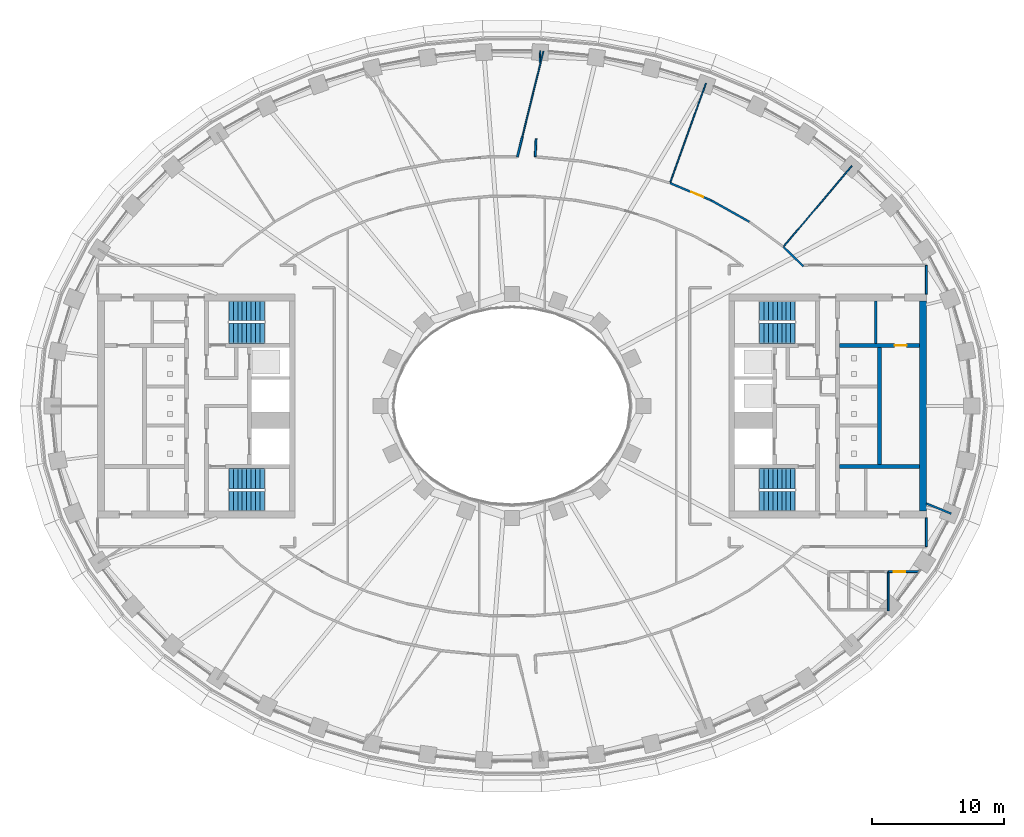
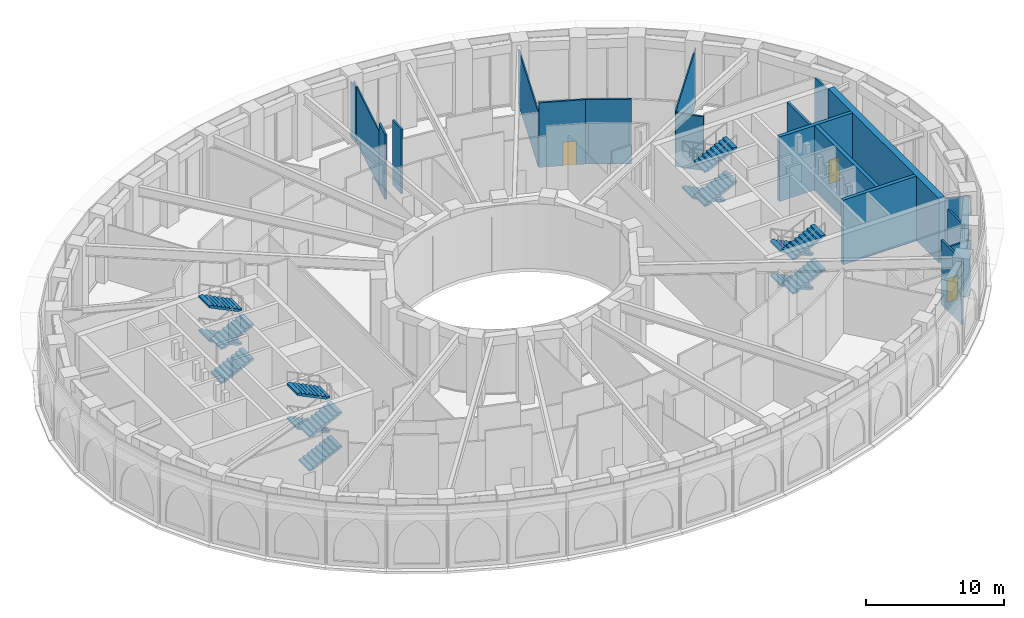
# One storey, part 7 of 23: 19 walls, 15 stair flights, 3 doors, 3 openings, 4 elements without a shape of their own.
"""IFC4 building model written with IfcOpenShell, lengths in metres."""

from ifc_helpers import new_model, si_unit, direction, frame, frame_2d, origin, place, context, subcontext, project, spatial, polyline, rectangle, outline, extrude, material, layer, layer_set, type_object, element, fill, aggregate, save


model = new_model("IFC4")

# Units and contexts
model_context = context("Model", 3, precision=1e-05, world=origin(), true_north=direction((0.0, 1.0)))
body_context = subcontext(model_context, "Body", "Model", "MODEL_VIEW")
ifc_project = project(units=[si_unit("LENGTHUNIT", "METRE"), si_unit("AREAUNIT", "SQUARE_METRE"), si_unit("VOLUMEUNIT", "CUBIC_METRE"), si_unit("PLANEANGLEUNIT", "RADIAN"), si_unit("MASSUNIT", "GRAM", prefix="KILO")], contexts=[model_context])

# Site, building, storey
site_placement = place(None, origin())
site = spatial("IfcSite", under=ifc_project, at=site_placement, CompositionType="ELEMENT")
building_placement = place(site_placement, origin())
building = spatial("IfcBuilding", under=site, at=building_placement, Name="Noorbagh Ring Tower", CompositionType="ELEMENT")
storey_placement = place(building_placement, frame((0.0, 0.0, 140.0)))
storey = spatial("IfcBuildingStorey", under=building, at=storey_placement, Name="L32", CompositionType="ELEMENT", Elevation=140.0)

# Wall
ifc_material_1 = material(Name="Gypsum board on steel studs", Category="steel")
ifc_layer_1 = layer(ifc_material_1, 0.14990234375)
ifc_layer_set_1 = layer_set([ifc_layer_1], Name="Gypsum board on steel studs")
wall_type_1 = type_object("IfcWallType", Name="COMPARTMENT PARTITION 150 EI 60", PredefinedType="PARTITIONING", material=ifc_layer_set_1)
wall_1_placement = place(storey_placement, frame((28.60693359375, -15.570068359375, 0.0), z_axis=(0.0, 0.0, 1.0), x_axis=(0.0, 1.0, 0.0)))
element("IfcWall", 1, at=wall_1_placement, inside=storey, type_object=wall_type_1, Name="L32/wall/P107", PredefinedType="PARTITIONING", context=body_context, shape_type="SweptSolid", body=[
    extrude(rectangle(XDim=2.969970703125, YDim=0.14990234375, at=frame_2d((1.48486328125, 0.0))), origin(), (0.0, 0.0, 1.0), 5.699951171875),
])

# Wall, opening, door
wall_2_placement = place(storey_placement, frame((28.60693359375, -12.60009765625, 0.0), z_axis=(0.0, 0.0, 1.0), x_axis=(1.0, 0.0, 0.0)))
wall_2 = element("IfcWall", 2, at=wall_2_placement, inside=storey, type_object=wall_type_1, Name="L32/wall/P108", PredefinedType="PARTITIONING", context=body_context, shape_type="SweptSolid", body=[
    extrude(rectangle(XDim=2.3271484375, YDim=0.14990234375, at=frame_2d((1.16357421875, 0.0))), origin(), (0.0, 0.0, 1.0), 4.89990234375),
])
opening_1_placement = place(wall_2_placement, frame((0.39990234375, 0.0, 0.0)))
opening_1 = element("IfcOpeningElement", 3, at=opening_1_placement, cuts=wall_2, Name="Opening D4", PredefinedType="OPENING", context=body_context, shape_type="SweptSolid", body=[
    extrude(rectangle(XDim=0.89990234375, YDim=2.10009765625, at=frame_2d((0.449951171875, 1.050048828125))), frame((0.0, 0.0849609375, 0.0), z_axis=(0.0, -1.0, 0.0), x_axis=(1.0, 0.0, 0.0)), (0.0, 0.0, 1.0), 0.169921875),
])
ifc_material_2 = material(Name="Timber, painted", Category="wood")
door_type_1 = type_object("IfcDoorType", Name="DOOR 900 X 2100 FD60", OperationType="SINGLE_SWING_LEFT", PredefinedType="DOOR", material=ifc_material_2)
door_1_placement = place(opening_1_placement, origin())
door_1 = element("IfcDoor", 4, at=door_1_placement, inside=storey, type_object=door_type_1, Name="L32-D05", OperationType="SINGLE_SWING_LEFT", OverallHeight=2.10009765625, OverallWidth=0.89990234375, PredefinedType="DOOR", context=body_context, shape_type="SweptSolid", body=[
    extrude(rectangle(XDim=0.89990234375, YDim=2.10009765625, at=frame_2d((0.449951171875, 1.050048828125))), frame((0.0, 0.02490234375, 0.0), z_axis=(0.0, -1.0, 0.0), x_axis=(1.0, 0.0, 0.0)), (0.0, 0.0, 1.0), 0.050048828125),
])
fill(opening_1, door_1)

# Walls
ifc_material_3 = material(Name="Gypsum board on steel studs", Category="steel")
ifc_layer_2 = layer(ifc_material_3, 0.199951171875)
ifc_layer_set_2 = layer_set([ifc_layer_2], Name="Gypsum board on steel studs")
wall_type_2 = type_object("IfcWallType", Name="CORE-PARTITION-200", PredefinedType="PARTITIONING", material=ifc_layer_set_2)
wall_3_placement = place(storey_placement, frame((27.64990234375, 4.75, 0.0), z_axis=(0.0, 0.0, 1.0), x_axis=(0.0, 1.0, 0.0)))
element("IfcWall", 5, at=wall_3_placement, inside=storey, type_object=wall_type_2, Name="Core partition E", PredefinedType="PARTITIONING", context=body_context, shape_type="SweptSolid", body=[
    extrude(rectangle(XDim=3.25, YDim=0.199951171875, at=frame_2d((1.625, 0.0))), origin(), (0.0, 0.0, 1.0), 5.699951171875),
])
ifc_material_4 = material(Name="Concrete C70/85", Category="concrete")
ifc_layer_3 = layer(ifc_material_4, 0.300048828125)
ifc_layer_set_3 = layer_set([ifc_layer_3], Name="Concrete C70/85")
wall_type_3 = type_object("IfcWallType", Name="CORE-WALL-300-C70-85-EI120", PredefinedType="SHEAR", material=ifc_layer_set_3)
wall_4_placement = place(storey_placement, frame((27.949951171875, -4.449951171875, 0.0), z_axis=(0.0, 0.0, 1.0), x_axis=(0.0, 1.0, 0.0)))
element("IfcWall", 6, at=wall_4_placement, inside=storey, type_object=wall_type_3, Name="Core wall E", PredefinedType="SHEAR", context=body_context, shape_type="SweptSolid", body=[
    extrude(rectangle(XDim=8.89990234375, YDim=0.300048828125, at=frame_2d((4.449951171875, 0.0))), origin(), (0.0, 0.0, 1.0), 5.699951171875),
])

# Wall, opening, door
ifc_material_5 = material(Name="Concrete C70/85", Category="concrete")
ifc_layer_4 = layer(ifc_material_5, 0.300048828125)
ifc_layer_set_4 = layer_set([ifc_layer_4], Name="Concrete C70/85")
wall_type_4 = type_object("IfcWallType", Name="CORE-WALL-300-C70-85-EI240", PredefinedType="SHEAR", material=ifc_layer_set_4)
wall_5_placement = place(storey_placement, frame((24.89990234375, 4.60009765625, 0.0), z_axis=(0.0, 0.0, 1.0), x_axis=(1.0, 0.0, 0.0)))
wall_5 = element("IfcWall", 7, at=wall_5_placement, inside=storey, type_object=wall_type_4, Name="Core wall E", PredefinedType="SHEAR", context=body_context, shape_type="SweptSolid", body=[
    extrude(rectangle(XDim=6.10009765625, YDim=0.300048828125, at=frame_2d((3.050048828125, 0.0))), origin(), (0.0, 0.0, 1.0), 5.699951171875),
])
opening_2_placement = place(wall_5_placement, frame((4.199951171875, 0.0, 0.0)))
opening_2 = element("IfcOpeningElement", 8, at=opening_2_placement, cuts=wall_5, Name="Opening L32-CE18", PredefinedType="OPENING", context=body_context, shape_type="SweptSolid", body=[
    extrude(rectangle(XDim=0.89990234375, YDim=2.10009765625, at=frame_2d((0.449951171875, 1.050048828125))), frame((0.0, 0.16015625, 0.0), z_axis=(0.0, -1.0, 0.0), x_axis=(1.0, 0.0, 0.0)), (0.0, 0.0, 1.0), 0.320068359375),
])
ifc_material_6 = material(Name="Steel door leaf", Category="steel")
door_type_2 = type_object("IfcDoorType", Name="CORE-DOOR-DROOM", OperationType="SINGLE_SWING_LEFT", PredefinedType="DOOR", material=ifc_material_6)
door_2_placement = place(opening_2_placement, origin())
door_2 = element("IfcDoor", 9, at=door_2_placement, inside=storey, type_object=door_type_2, Name="Core room door L32-CE18", OperationType="SINGLE_SWING_RIGHT", OverallHeight=2.10009765625, OverallWidth=0.89990234375, PredefinedType="DOOR", context=body_context, shape_type="SweptSolid", body=[
    extrude(rectangle(XDim=0.89990234375, YDim=2.10009765625, at=frame_2d((0.449951171875, 1.050048828125))), frame((0.0, 0.02490234375, 0.0), z_axis=(0.0, -1.0, 0.0), x_axis=(1.0, 0.0, 0.0)), (0.0, 0.0, 1.0), 0.050048828125),
])
fill(opening_2, door_2)

# Walls
wall_6_placement = place(storey_placement, frame((24.89990234375, -4.60009765625, 0.0), z_axis=(0.0, 0.0, 1.0), x_axis=(1.0, 0.0, 0.0)))
element("IfcWall", 10, at=wall_6_placement, inside=storey, type_object=wall_type_4, Name="Core wall E", PredefinedType="SHEAR", context=body_context, shape_type="SweptSolid", body=[
    extrude(rectangle(XDim=6.10009765625, YDim=0.300048828125, at=frame_2d((3.050048828125, 0.0))), origin(), (0.0, 0.0, 1.0), 5.699951171875),
])
ifc_material_7 = material(Name="Concrete C70/85", Category="concrete")
ifc_layer_5 = layer(ifc_material_7, 0.5)
ifc_layer_set_5 = layer_set([ifc_layer_5], Name="Concrete C70/85")
wall_type_5 = type_object("IfcWallType", Name="CORE-WALL-500-C70-85-EI240", PredefinedType="SHEAR", material=ifc_layer_set_5)
wall_7_placement = place(storey_placement, frame((31.25, -8.0, 0.0), z_axis=(0.0, 0.0, 1.0), x_axis=(0.0, 1.0, 0.0)))
element("IfcWall", 11, at=wall_7_placement, inside=storey, type_object=wall_type_5, Name="Core wall E", PredefinedType="SHEAR", context=body_context, shape_type="SweptSolid", body=[
    extrude(rectangle(XDim=16.0, YDim=0.5, at=frame_2d((8.0, 0.0))), origin(), (0.0, 0.0, 1.0), 5.699951171875),
])
ifc_material_8 = material(Name="Gypsum board on steel studs", Category="steel")
ifc_layer_6 = layer(ifc_material_8, 0.14990234375)
ifc_layer_set_6 = layer_set([ifc_layer_6], Name="Gypsum board on steel studs")
wall_type_6 = type_object("IfcWallType", Name="CORRIDOR PARTITION 150 EI 30", PredefinedType="PARTITIONING", material=ifc_layer_set_6)
wall_8_placement = place(storey_placement, frame((0.408935546875, 18.947998046875, 0.0), z_axis=(0.0, 0.0, 1.0), x_axis=(0.239699865406, 0.970847039716, 0.0)))
element("IfcWall", 12, at=wall_8_placement, inside=storey, type_object=wall_type_6, Name="L32/wall/P53", PredefinedType="PARTITIONING", context=body_context, shape_type="SweptSolid", body=[
    extrude(rectangle(XDim=1.560302734375, YDim=0.14990234375, at=frame_2d((0.7802734375, 0.0))), origin(), (0.0, 0.0, 1.0), 5.699951171875),
])
wall_9_placement = place(storey_placement, frame((1.764892578125, 18.951904296875, 0.0), z_axis=(0.0, 0.0, 1.0), x_axis=(0.047021494515, 0.998893877774, 0.0)))
element("IfcWall", 13, at=wall_9_placement, inside=storey, type_object=wall_type_6, Name="L32/wall/P59", PredefinedType="PARTITIONING", context=body_context, shape_type="SweptSolid", body=[
    extrude(rectangle(XDim=1.365478515625, YDim=0.14990234375, at=frame_2d((0.6826171875, 0.0))), origin(), (0.0, 0.0, 1.0), 5.699951171875),
])

# Wall, opening, door
wall_10_placement = place(storey_placement, frame((12.01611328125, 16.948974609375, 0.0), z_axis=(0.0, 0.0, 1.0), x_axis=(0.921865104958, -0.387510939537, 0.0)))
wall_10 = element("IfcWall", 14, at=wall_10_placement, inside=storey, type_object=wall_type_6, Name="L32/wall/P77", PredefinedType="PARTITIONING", context=body_context, shape_type="SweptSolid", body=[
    extrude(rectangle(XDim=3.3984375, YDim=0.14990234375, at=frame_2d((1.69921875, 0.0))), origin(), (0.0, 0.0, 1.0), 5.699951171875),
])
opening_3_placement = place(wall_10_placement, frame((1.74853515625, 0.0, 0.0)))
opening_3 = element("IfcOpeningElement", 15, at=opening_3_placement, cuts=wall_10, Name="Opening D1", PredefinedType="OPENING", context=body_context, shape_type="SweptSolid", body=[
    extrude(rectangle(XDim=1.0, YDim=2.10009765625, at=frame_2d((0.5, 1.050048828125))), frame((0.0, 0.0849609375, 0.0), z_axis=(0.0, -1.0, 0.0), x_axis=(1.0, 0.0, 0.0)), (0.0, 0.0, 1.0), 0.169921875),
])
ifc_material_9 = material(Name="Timber, painted", Category="wood")
door_type_3 = type_object("IfcDoorType", Name="DOOR 1000 X 2100 FD30", OperationType="SINGLE_SWING_LEFT", PredefinedType="DOOR", material=ifc_material_9)
door_3_placement = place(opening_3_placement, origin())
door_3 = element("IfcDoor", 16, at=door_3_placement, inside=storey, type_object=door_type_3, Name="L32-D17", OperationType="SINGLE_SWING_LEFT", OverallHeight=2.10009765625, OverallWidth=1.0, PredefinedType="DOOR", context=body_context, shape_type="SweptSolid", body=[
    extrude(rectangle(XDim=1.0, YDim=2.10009765625, at=frame_2d((0.5, 1.050048828125))), frame((0.0, 0.02490234375, 0.0), z_axis=(0.0, -1.0, 0.0), x_axis=(1.0, 0.0, 0.0)), (0.0, 0.0, 1.0), 0.050048828125),
])
fill(opening_3, door_3)

# Walls
wall_11_placement = place(storey_placement, frame((15.14892578125, 15.632080078125, 0.0), z_axis=(0.0, 0.0, 1.0), x_axis=(0.872074124955, -0.489373804555, 0.0)))
element("IfcWall", 17, at=wall_11_placement, inside=storey, type_object=wall_type_6, Name="L32/wall/P87", PredefinedType="PARTITIONING", context=body_context, shape_type="SweptSolid", body=[
    extrude(rectangle(XDim=3.318603515625, YDim=0.14990234375, at=frame_2d((1.6591796875, 0.0))), origin(), (0.0, 0.0, 1.0), 5.699951171875),
])
wall_12_placement = place(storey_placement, frame((20.64599609375, 12.0869140625, 0.0), z_axis=(0.0, 0.0, 1.0), x_axis=(0.717046631286, -0.697025199373, 0.0)))
element("IfcWall", 18, at=wall_12_placement, inside=storey, type_object=wall_type_6, Name="L32/wall/P99", PredefinedType="PARTITIONING", context=body_context, shape_type="SweptSolid", body=[
    extrude(rectangle(XDim=2.097412109375, YDim=0.14990234375, at=frame_2d((1.048828125, 0.0))), origin(), (0.0, 0.0, 1.0), 4.75),
])
wall_13_placement = place(storey_placement, frame((31.5, -10.699951171875, 0.0), z_axis=(0.0, 0.0, 1.0), x_axis=(0.0, 1.0, 0.0)))
element("IfcWall", 19, at=wall_13_placement, inside=storey, type_object=wall_type_6, Name="L32/wall/P109", PredefinedType="PARTITIONING", context=body_context, shape_type="SweptSolid", body=[
    extrude(rectangle(XDim=2.199951171875, YDim=0.14990234375, at=frame_2d((1.10009765625, 0.0))), origin(), (0.0, 0.0, 1.0), 4.89990234375),
])
wall_14_placement = place(storey_placement, frame((31.5, -7.409912109375, 0.0), z_axis=(0.0, 0.0, 1.0), x_axis=(0.925433139688, -0.378910944639, 0.0)))
element("IfcWall", 20, at=wall_14_placement, inside=storey, type_object=wall_type_6, Name="L32/wall/P110", PredefinedType="PARTITIONING", context=body_context, shape_type="SweptSolid", body=[
    extrude(rectangle(XDim=2.05078125, YDim=0.14990234375, at=frame_2d((1.025390625, 0.0))), origin(), (0.0, 0.0, 1.0), 5.199951171875),
])
wall_15_placement = place(storey_placement, frame((31.5, 8.5, 0.0), z_axis=(0.0, 0.0, 1.0), x_axis=(0.0, 1.0, 0.0)))
element("IfcWall", 21, at=wall_15_placement, inside=storey, type_object=wall_type_6, Name="L32/wall/P111", PredefinedType="PARTITIONING", context=body_context, shape_type="SweptSolid", body=[
    extrude(rectangle(XDim=2.199951171875, YDim=0.14990234375, at=frame_2d((1.10009765625, 0.0))), origin(), (0.0, 0.0, 1.0), 4.89990234375),
])
ifc_material_10 = material(Name="Gypsum board on steel studs", Category="steel")
ifc_layer_7 = layer(ifc_material_10, 0.10009765625)
ifc_layer_set_7 = layer_set([ifc_layer_7], Name="Gypsum board on steel studs")
wall_type_7 = type_object("IfcWallType", Name="PARTITION 100 GYPSUM", PredefinedType="PARTITIONING", material=ifc_layer_set_7)
wall_16_placement = place(storey_placement, frame((0.782958984375, 20.462890625, 0.0), z_axis=(0.0, 0.0, 1.0), x_axis=(0.239715278078, 0.970843234233, 0.0)))
element("IfcWall", 22, at=wall_16_placement, inside=storey, type_object=wall_type_7, Name="L32/wall/P54", PredefinedType="PARTITIONING", context=body_context, shape_type="SweptSolid", body=[
    extrude(rectangle(XDim=6.70361328125, YDim=0.10009765625, at=frame_2d((3.351806640625, 0.0))), origin(), (0.0, 0.0, 1.0), 4.89990234375),
])
wall_17_placement = place(storey_placement, frame((2.10595703125, 26.131103515625, 0.0), z_axis=(0.0, 0.0, 1.0), x_axis=(0.048380339495, 0.998828985738, 0.0)))
element("IfcWall", 23, at=wall_17_placement, inside=storey, type_object=wall_type_7, Name="L32/wall/P63", PredefinedType="PARTITIONING", context=body_context, shape_type="SweptSolid", body=[
    extrude(rectangle(XDim=0.867919921875, YDim=0.10009765625, at=frame_2d((0.43408203125, 0.0))), origin(), (0.0, 0.0, 1.0), 4.89990234375),
])
wall_18_placement = place(storey_placement, frame((12.01708984375, 16.952880859375, 0.0), z_axis=(0.0, 0.0, 1.0), x_axis=(0.338312774079, 0.941033722507, 0.0)))
element("IfcWall", 24, at=wall_18_placement, inside=storey, type_object=wall_type_7, Name="L32/wall/P79", PredefinedType="PARTITIONING", context=body_context, shape_type="SweptSolid", body=[
    extrude(rectangle(XDim=8.05712890625, YDim=0.10009765625, at=frame_2d((4.028564453125, 0.0))), origin(), (0.0, 0.0, 1.0), 4.85009765625),
])
wall_19_placement = place(storey_placement, frame((20.634033203125, 12.10400390625, 0.0), z_axis=(0.0, 0.0, 1.0), x_axis=(0.646407608184, 0.762992270001, 0.0)))
element("IfcWall", 25, at=wall_19_placement, inside=storey, type_object=wall_type_7, Name="L32/wall/P97", PredefinedType="PARTITIONING", context=body_context, shape_type="SweptSolid", body=[
    extrude(rectangle(XDim=8.064453125, YDim=0.10009765625, at=frame_2d((4.0322265625, 0.0))), origin(), (0.0, 0.0, 1.0), 4.89990234375),
])

# Stair, stair flights
ifc_material_11 = material(Name="Concrete C40/50", Category="concrete")
stair_type = type_object("IfcStairType", Name="CORE-STAIR", PredefinedType="HALF_TURN_STAIR", material=ifc_material_11)
stair_1_placement = place(storey_placement, origin())
stair_1 = element("IfcStair", 26, at=stair_1_placement, inside=storey, type_object=stair_type, Name="L32 Exit stair ST1", PredefinedType="HALF_TURN_STAIR")
ifc_material_12 = material(Name="Concrete C40/50", Category="concrete")
stair_flight_type = type_object("IfcStairFlightType", Name="CORE-STAIR-FLIGHT", PredefinedType="STRAIGHT", material=ifc_material_12)
stair_flight_1_placement = place(storey_placement, frame((-21.530029296875, 5.52490234375, 0.0), z_axis=(0.0, 0.0, 1.0), x_axis=(1.0, 0.0, 0.0)))
stair_flight_1 = element("IfcStairFlight", 27, at=stair_flight_1_placement, type_object=stair_flight_type, Name="ST1 flight 1", NumberOfRisers=9, NumberOfTreads=8, PredefinedType="STRAIGHT", RiserHeight=0.166666667, TreadLength=0.34, context=body_context, shape_type="SweptSolid", body=[
    extrude(outline(polyline([(0.0, 0.0), (0.0, 0.166748046875), (0.340087890625, 0.166748046875), (0.340087890625, 0.333251953125), (0.679931640625, 0.333251953125), (0.679931640625, 0.5), (1.02001953125, 0.5), (1.02001953125, 0.666748046875), (1.360107421875, 0.666748046875), (1.360107421875, 0.833251953125), (1.699951171875, 0.833251953125), (1.699951171875, 1.0), (2.0400390625, 1.0), (2.0400390625, 1.166748046875), (2.3798828125, 1.166748046875), (2.3798828125, 1.333251953125), (2.719970703125, 1.333251953125), (2.719970703125, 1.5), (2.719970703125, 1.16650390625), (0.340576171875, 0.0), (0.0, 0.0)])), frame((0.0, 0.77490234375, 0.0), z_axis=(0.0, -1.0, 0.0), x_axis=(1.0, 0.0, 0.0)), (0.0, 0.0, 1.0), 1.550048828125),
])
stair_flight_2_placement = place(storey_placement, frame((-18.81005859375, 7.22509765625, 1.5), z_axis=(0.0, 0.0, 1.0), x_axis=(-1.0, 0.0, 0.0)))
stair_flight_2 = element("IfcStairFlight", 28, at=stair_flight_2_placement, type_object=stair_flight_type, Name="ST1 flight 2", NumberOfRisers=9, NumberOfTreads=8, PredefinedType="STRAIGHT", RiserHeight=0.166666667, TreadLength=0.34, context=body_context, shape_type="SweptSolid", body=[
    extrude(outline(polyline([(0.0, 0.0), (0.0, 0.166748046875), (0.340087890625, 0.166748046875), (0.340087890625, 0.333251953125), (0.679931640625, 0.333251953125), (0.679931640625, 0.5), (1.02001953125, 0.5), (1.02001953125, 0.666748046875), (1.360107421875, 0.666748046875), (1.360107421875, 0.833251953125), (1.699951171875, 0.833251953125), (1.699951171875, 1.0), (2.0400390625, 1.0), (2.0400390625, 1.166748046875), (2.3798828125, 1.166748046875), (2.3798828125, 1.333251953125), (2.719970703125, 1.333251953125), (2.719970703125, 1.5), (2.719970703125, 1.16650390625), (0.340576171875, 0.0), (0.0, 0.0)])), frame((0.0, 0.77490234375, 0.0), z_axis=(0.0, -1.0, 0.0), x_axis=(1.0, 0.0, 0.0)), (0.0, 0.0, 1.0), 1.550048828125),
])
stair_flight_3_placement = place(storey_placement, frame((-21.530029296875, 5.52490234375, 3.0), z_axis=(0.0, 0.0, 1.0), x_axis=(1.0, 0.0, 0.0)))
stair_flight_3 = element("IfcStairFlight", 29, at=stair_flight_3_placement, type_object=stair_flight_type, Name="ST1 flight 3", NumberOfRisers=9, NumberOfTreads=8, PredefinedType="STRAIGHT", RiserHeight=0.166666667, TreadLength=0.34, context=body_context, shape_type="SweptSolid", body=[
    extrude(outline(polyline([(0.0, 0.0), (0.0, 0.166748046875), (0.340087890625, 0.166748046875), (0.340087890625, 0.333251953125), (0.679931640625, 0.333251953125), (0.679931640625, 0.5), (1.02001953125, 0.5), (1.02001953125, 0.666748046875), (1.360107421875, 0.666748046875), (1.360107421875, 0.833251953125), (1.699951171875, 0.833251953125), (1.699951171875, 1.0), (2.0400390625, 1.0), (2.0400390625, 1.166748046875), (2.3798828125, 1.166748046875), (2.3798828125, 1.333251953125), (2.719970703125, 1.333251953125), (2.719970703125, 1.5), (2.719970703125, 1.16650390625), (0.340576171875, 0.0), (0.0, 0.0)])), frame((0.0, 0.77490234375, 0.0), z_axis=(0.0, -1.0, 0.0), x_axis=(1.0, 0.0, 0.0)), (0.0, 0.0, 1.0), 1.550048828125),
])
stair_flight_4_placement = place(storey_placement, frame((-18.81005859375, 7.22509765625, 4.5), z_axis=(0.0, 0.0, 1.0), x_axis=(-1.0, 0.0, 0.0)))
stair_flight_4 = element("IfcStairFlight", 30, at=stair_flight_4_placement, type_object=stair_flight_type, Name="ST1 flight 4", NumberOfRisers=9, NumberOfTreads=8, PredefinedType="STRAIGHT", RiserHeight=0.166666667, TreadLength=0.34, context=body_context, shape_type="SweptSolid", body=[
    extrude(outline(polyline([(0.0, 0.0), (0.0, 0.166748046875), (0.340087890625, 0.166748046875), (0.340087890625, 0.333251953125), (0.679931640625, 0.333251953125), (0.679931640625, 0.5), (1.02001953125, 0.5), (1.02001953125, 0.666748046875), (1.360107421875, 0.666748046875), (1.360107421875, 0.833251953125), (1.699951171875, 0.833251953125), (1.699951171875, 1.0), (2.0400390625, 1.0), (2.0400390625, 1.166748046875), (2.3798828125, 1.166748046875), (2.3798828125, 1.333251953125), (2.719970703125, 1.333251953125), (2.719970703125, 1.5), (2.719970703125, 1.16650390625), (0.340576171875, 0.0), (0.0, 0.0)])), frame((0.0, 0.77490234375, 0.0), z_axis=(0.0, -1.0, 0.0), x_axis=(1.0, 0.0, 0.0)), (0.0, 0.0, 1.0), 1.550048828125),
])
aggregate(stair_1, [stair_flight_1, stair_flight_2, stair_flight_3, stair_flight_4])

stair_2_placement = place(storey_placement, origin())
stair_2 = element("IfcStair", 31, at=stair_2_placement, inside=storey, type_object=stair_type, Name="L32 Exit stair ST2", PredefinedType="HALF_TURN_STAIR")
stair_flight_5_placement = place(storey_placement, frame((-21.530029296875, -7.22509765625, 0.0), z_axis=(0.0, 0.0, 1.0), x_axis=(1.0, 0.0, 0.0)))
stair_flight_5 = element("IfcStairFlight", 32, at=stair_flight_5_placement, type_object=stair_flight_type, Name="ST2 flight 1", NumberOfRisers=9, NumberOfTreads=8, PredefinedType="STRAIGHT", RiserHeight=0.166666667, TreadLength=0.34, context=body_context, shape_type="SweptSolid", body=[
    extrude(outline(polyline([(0.0, 0.0), (0.0, 0.166748046875), (0.340087890625, 0.166748046875), (0.340087890625, 0.333251953125), (0.679931640625, 0.333251953125), (0.679931640625, 0.5), (1.02001953125, 0.5), (1.02001953125, 0.666748046875), (1.360107421875, 0.666748046875), (1.360107421875, 0.833251953125), (1.699951171875, 0.833251953125), (1.699951171875, 1.0), (2.0400390625, 1.0), (2.0400390625, 1.166748046875), (2.3798828125, 1.166748046875), (2.3798828125, 1.333251953125), (2.719970703125, 1.333251953125), (2.719970703125, 1.5), (2.719970703125, 1.16650390625), (0.340576171875, 0.0), (0.0, 0.0)])), frame((0.0, 0.77490234375, 0.0), z_axis=(0.0, -1.0, 0.0), x_axis=(1.0, 0.0, 0.0)), (0.0, 0.0, 1.0), 1.550048828125),
])
stair_flight_6_placement = place(storey_placement, frame((-18.81005859375, -5.52490234375, 1.5), z_axis=(0.0, 0.0, 1.0), x_axis=(-1.0, 0.0, 0.0)))
stair_flight_6 = element("IfcStairFlight", 33, at=stair_flight_6_placement, type_object=stair_flight_type, Name="ST2 flight 2", NumberOfRisers=9, NumberOfTreads=8, PredefinedType="STRAIGHT", RiserHeight=0.166666667, TreadLength=0.34, context=body_context, shape_type="SweptSolid", body=[
    extrude(outline(polyline([(0.0, 0.0), (0.0, 0.166748046875), (0.340087890625, 0.166748046875), (0.340087890625, 0.333251953125), (0.679931640625, 0.333251953125), (0.679931640625, 0.5), (1.02001953125, 0.5), (1.02001953125, 0.666748046875), (1.360107421875, 0.666748046875), (1.360107421875, 0.833251953125), (1.699951171875, 0.833251953125), (1.699951171875, 1.0), (2.0400390625, 1.0), (2.0400390625, 1.166748046875), (2.3798828125, 1.166748046875), (2.3798828125, 1.333251953125), (2.719970703125, 1.333251953125), (2.719970703125, 1.5), (2.719970703125, 1.16650390625), (0.340576171875, 0.0), (0.0, 0.0)])), frame((0.0, 0.77490234375, 0.0), z_axis=(0.0, -1.0, 0.0), x_axis=(1.0, 0.0, 0.0)), (0.0, 0.0, 1.0), 1.550048828125),
])
stair_flight_7_placement = place(storey_placement, frame((-21.530029296875, -7.22509765625, 3.0), z_axis=(0.0, 0.0, 1.0), x_axis=(1.0, 0.0, 0.0)))
stair_flight_7 = element("IfcStairFlight", 34, at=stair_flight_7_placement, type_object=stair_flight_type, Name="ST2 flight 3", NumberOfRisers=9, NumberOfTreads=8, PredefinedType="STRAIGHT", RiserHeight=0.166666667, TreadLength=0.34, context=body_context, shape_type="SweptSolid", body=[
    extrude(outline(polyline([(0.0, 0.0), (0.0, 0.166748046875), (0.340087890625, 0.166748046875), (0.340087890625, 0.333251953125), (0.679931640625, 0.333251953125), (0.679931640625, 0.5), (1.02001953125, 0.5), (1.02001953125, 0.666748046875), (1.360107421875, 0.666748046875), (1.360107421875, 0.833251953125), (1.699951171875, 0.833251953125), (1.699951171875, 1.0), (2.0400390625, 1.0), (2.0400390625, 1.166748046875), (2.3798828125, 1.166748046875), (2.3798828125, 1.333251953125), (2.719970703125, 1.333251953125), (2.719970703125, 1.5), (2.719970703125, 1.16650390625), (0.340576171875, 0.0), (0.0, 0.0)])), frame((0.0, 0.77490234375, 0.0), z_axis=(0.0, -1.0, 0.0), x_axis=(1.0, 0.0, 0.0)), (0.0, 0.0, 1.0), 1.550048828125),
])
stair_flight_8_placement = place(storey_placement, frame((-18.81005859375, -5.52490234375, 4.5), z_axis=(0.0, 0.0, 1.0), x_axis=(-1.0, 0.0, 0.0)))
stair_flight_8 = element("IfcStairFlight", 35, at=stair_flight_8_placement, type_object=stair_flight_type, Name="ST2 flight 4", NumberOfRisers=9, NumberOfTreads=8, PredefinedType="STRAIGHT", RiserHeight=0.166666667, TreadLength=0.34, context=body_context, shape_type="SweptSolid", body=[
    extrude(outline(polyline([(0.0, 0.0), (0.0, 0.166748046875), (0.340087890625, 0.166748046875), (0.340087890625, 0.333251953125), (0.679931640625, 0.333251953125), (0.679931640625, 0.5), (1.02001953125, 0.5), (1.02001953125, 0.666748046875), (1.360107421875, 0.666748046875), (1.360107421875, 0.833251953125), (1.699951171875, 0.833251953125), (1.699951171875, 1.0), (2.0400390625, 1.0), (2.0400390625, 1.166748046875), (2.3798828125, 1.166748046875), (2.3798828125, 1.333251953125), (2.719970703125, 1.333251953125), (2.719970703125, 1.5), (2.719970703125, 1.16650390625), (0.340576171875, 0.0), (0.0, 0.0)])), frame((0.0, 0.77490234375, 0.0), z_axis=(0.0, -1.0, 0.0), x_axis=(1.0, 0.0, 0.0)), (0.0, 0.0, 1.0), 1.550048828125),
])
aggregate(stair_2, [stair_flight_5, stair_flight_6, stair_flight_7, stair_flight_8])

stair_3_placement = place(storey_placement, origin())
stair_3 = element("IfcStair", 36, at=stair_3_placement, inside=storey, type_object=stair_type, Name="L32 Exit stair ST3", PredefinedType="HALF_TURN_STAIR")
stair_flight_9_placement = place(storey_placement, frame((21.530029296875, 7.22509765625, 0.0), z_axis=(0.0, 0.0, 1.0), x_axis=(-1.0, 0.0, 0.0)))
stair_flight_9 = element("IfcStairFlight", 37, at=stair_flight_9_placement, type_object=stair_flight_type, Name="ST3 flight 1", NumberOfRisers=9, NumberOfTreads=8, PredefinedType="STRAIGHT", RiserHeight=0.166666667, TreadLength=0.34, context=body_context, shape_type="SweptSolid", body=[
    extrude(outline(polyline([(0.0, 0.0), (0.0, 0.166748046875), (0.340087890625, 0.166748046875), (0.340087890625, 0.333251953125), (0.679931640625, 0.333251953125), (0.679931640625, 0.5), (1.02001953125, 0.5), (1.02001953125, 0.666748046875), (1.360107421875, 0.666748046875), (1.360107421875, 0.833251953125), (1.699951171875, 0.833251953125), (1.699951171875, 1.0), (2.0400390625, 1.0), (2.0400390625, 1.166748046875), (2.3798828125, 1.166748046875), (2.3798828125, 1.333251953125), (2.719970703125, 1.333251953125), (2.719970703125, 1.5), (2.719970703125, 1.16650390625), (0.340576171875, 0.0), (0.0, 0.0)])), frame((0.0, 0.77490234375, 0.0), z_axis=(0.0, -1.0, 0.0), x_axis=(1.0, 0.0, 0.0)), (0.0, 0.0, 1.0), 1.550048828125),
])
stair_flight_10_placement = place(storey_placement, frame((18.81005859375, 5.52490234375, 1.5), z_axis=(0.0, 0.0, 1.0), x_axis=(1.0, 0.0, 0.0)))
stair_flight_10 = element("IfcStairFlight", 38, at=stair_flight_10_placement, type_object=stair_flight_type, Name="ST3 flight 2", NumberOfRisers=9, NumberOfTreads=8, PredefinedType="STRAIGHT", RiserHeight=0.166666667, TreadLength=0.34, context=body_context, shape_type="SweptSolid", body=[
    extrude(outline(polyline([(0.0, 0.0), (0.0, 0.166748046875), (0.340087890625, 0.166748046875), (0.340087890625, 0.333251953125), (0.679931640625, 0.333251953125), (0.679931640625, 0.5), (1.02001953125, 0.5), (1.02001953125, 0.666748046875), (1.360107421875, 0.666748046875), (1.360107421875, 0.833251953125), (1.699951171875, 0.833251953125), (1.699951171875, 1.0), (2.0400390625, 1.0), (2.0400390625, 1.166748046875), (2.3798828125, 1.166748046875), (2.3798828125, 1.333251953125), (2.719970703125, 1.333251953125), (2.719970703125, 1.5), (2.719970703125, 1.16650390625), (0.340576171875, 0.0), (0.0, 0.0)])), frame((0.0, 0.77490234375, 0.0), z_axis=(0.0, -1.0, 0.0), x_axis=(1.0, 0.0, 0.0)), (0.0, 0.0, 1.0), 1.550048828125),
])
stair_flight_11_placement = place(storey_placement, frame((18.81005859375, 5.52490234375, 4.5), z_axis=(0.0, 0.0, 1.0), x_axis=(1.0, 0.0, 0.0)))
stair_flight_11 = element("IfcStairFlight", 39, at=stair_flight_11_placement, type_object=stair_flight_type, Name="ST3 flight 4", NumberOfRisers=9, NumberOfTreads=8, PredefinedType="STRAIGHT", RiserHeight=0.166666667, TreadLength=0.34, context=body_context, shape_type="SweptSolid", body=[
    extrude(outline(polyline([(0.0, 0.0), (0.0, 0.166748046875), (0.340087890625, 0.166748046875), (0.340087890625, 0.333251953125), (0.679931640625, 0.333251953125), (0.679931640625, 0.5), (1.02001953125, 0.5), (1.02001953125, 0.666748046875), (1.360107421875, 0.666748046875), (1.360107421875, 0.833251953125), (1.699951171875, 0.833251953125), (1.699951171875, 1.0), (2.0400390625, 1.0), (2.0400390625, 1.166748046875), (2.3798828125, 1.166748046875), (2.3798828125, 1.333251953125), (2.719970703125, 1.333251953125), (2.719970703125, 1.5), (2.719970703125, 1.16650390625), (0.340576171875, 0.0), (0.0, 0.0)])), frame((0.0, 0.77490234375, 0.0), z_axis=(0.0, -1.0, 0.0), x_axis=(1.0, 0.0, 0.0)), (0.0, 0.0, 1.0), 1.550048828125),
])
aggregate(stair_3, [stair_flight_9, stair_flight_10, stair_flight_11])

stair_4_placement = place(storey_placement, origin())
stair_4 = element("IfcStair", 40, at=stair_4_placement, inside=storey, type_object=stair_type, Name="L32 Exit stair ST4", PredefinedType="HALF_TURN_STAIR")
stair_flight_12_placement = place(storey_placement, frame((21.530029296875, -5.52490234375, 0.0), z_axis=(0.0, 0.0, 1.0), x_axis=(-1.0, 0.0, 0.0)))
stair_flight_12 = element("IfcStairFlight", 41, at=stair_flight_12_placement, type_object=stair_flight_type, Name="ST4 flight 1", NumberOfRisers=9, NumberOfTreads=8, PredefinedType="STRAIGHT", RiserHeight=0.166666667, TreadLength=0.34, context=body_context, shape_type="SweptSolid", body=[
    extrude(outline(polyline([(0.0, 0.0), (0.0, 0.166748046875), (0.340087890625, 0.166748046875), (0.340087890625, 0.333251953125), (0.679931640625, 0.333251953125), (0.679931640625, 0.5), (1.02001953125, 0.5), (1.02001953125, 0.666748046875), (1.360107421875, 0.666748046875), (1.360107421875, 0.833251953125), (1.699951171875, 0.833251953125), (1.699951171875, 1.0), (2.0400390625, 1.0), (2.0400390625, 1.166748046875), (2.3798828125, 1.166748046875), (2.3798828125, 1.333251953125), (2.719970703125, 1.333251953125), (2.719970703125, 1.5), (2.719970703125, 1.16650390625), (0.340576171875, 0.0), (0.0, 0.0)])), frame((0.0, 0.77490234375, 0.0), z_axis=(0.0, -1.0, 0.0), x_axis=(1.0, 0.0, 0.0)), (0.0, 0.0, 1.0), 1.550048828125),
])
stair_flight_13_placement = place(storey_placement, frame((18.81005859375, -7.22509765625, 1.5), z_axis=(0.0, 0.0, 1.0), x_axis=(1.0, 0.0, 0.0)))
stair_flight_13 = element("IfcStairFlight", 42, at=stair_flight_13_placement, type_object=stair_flight_type, Name="ST4 flight 2", NumberOfRisers=9, NumberOfTreads=8, PredefinedType="STRAIGHT", RiserHeight=0.166666667, TreadLength=0.34, context=body_context, shape_type="SweptSolid", body=[
    extrude(outline(polyline([(0.0, 0.0), (0.0, 0.166748046875), (0.340087890625, 0.166748046875), (0.340087890625, 0.333251953125), (0.679931640625, 0.333251953125), (0.679931640625, 0.5), (1.02001953125, 0.5), (1.02001953125, 0.666748046875), (1.360107421875, 0.666748046875), (1.360107421875, 0.833251953125), (1.699951171875, 0.833251953125), (1.699951171875, 1.0), (2.0400390625, 1.0), (2.0400390625, 1.166748046875), (2.3798828125, 1.166748046875), (2.3798828125, 1.333251953125), (2.719970703125, 1.333251953125), (2.719970703125, 1.5), (2.719970703125, 1.16650390625), (0.340576171875, 0.0), (0.0, 0.0)])), frame((0.0, 0.77490234375, 0.0), z_axis=(0.0, -1.0, 0.0), x_axis=(1.0, 0.0, 0.0)), (0.0, 0.0, 1.0), 1.550048828125),
])
stair_flight_14_placement = place(storey_placement, frame((21.530029296875, -5.52490234375, 3.0), z_axis=(0.0, 0.0, 1.0), x_axis=(-1.0, 0.0, 0.0)))
stair_flight_14 = element("IfcStairFlight", 43, at=stair_flight_14_placement, type_object=stair_flight_type, Name="ST4 flight 3", NumberOfRisers=9, NumberOfTreads=8, PredefinedType="STRAIGHT", RiserHeight=0.166666667, TreadLength=0.34, context=body_context, shape_type="SweptSolid", body=[
    extrude(outline(polyline([(0.0, 0.0), (0.0, 0.166748046875), (0.340087890625, 0.166748046875), (0.340087890625, 0.333251953125), (0.679931640625, 0.333251953125), (0.679931640625, 0.5), (1.02001953125, 0.5), (1.02001953125, 0.666748046875), (1.360107421875, 0.666748046875), (1.360107421875, 0.833251953125), (1.699951171875, 0.833251953125), (1.699951171875, 1.0), (2.0400390625, 1.0), (2.0400390625, 1.166748046875), (2.3798828125, 1.166748046875), (2.3798828125, 1.333251953125), (2.719970703125, 1.333251953125), (2.719970703125, 1.5), (2.719970703125, 1.16650390625), (0.340576171875, 0.0), (0.0, 0.0)])), frame((0.0, 0.77490234375, 0.0), z_axis=(0.0, -1.0, 0.0), x_axis=(1.0, 0.0, 0.0)), (0.0, 0.0, 1.0), 1.550048828125),
])
stair_flight_15_placement = place(storey_placement, frame((18.81005859375, -7.22509765625, 4.5), z_axis=(0.0, 0.0, 1.0), x_axis=(1.0, 0.0, 0.0)))
stair_flight_15 = element("IfcStairFlight", 44, at=stair_flight_15_placement, type_object=stair_flight_type, Name="ST4 flight 4", NumberOfRisers=9, NumberOfTreads=8, PredefinedType="STRAIGHT", RiserHeight=0.166666667, TreadLength=0.34, context=body_context, shape_type="SweptSolid", body=[
    extrude(outline(polyline([(0.0, 0.0), (0.0, 0.166748046875), (0.340087890625, 0.166748046875), (0.340087890625, 0.333251953125), (0.679931640625, 0.333251953125), (0.679931640625, 0.5), (1.02001953125, 0.5), (1.02001953125, 0.666748046875), (1.360107421875, 0.666748046875), (1.360107421875, 0.833251953125), (1.699951171875, 0.833251953125), (1.699951171875, 1.0), (2.0400390625, 1.0), (2.0400390625, 1.166748046875), (2.3798828125, 1.166748046875), (2.3798828125, 1.333251953125), (2.719970703125, 1.333251953125), (2.719970703125, 1.5), (2.719970703125, 1.16650390625), (0.340576171875, 0.0), (0.0, 0.0)])), frame((0.0, 0.77490234375, 0.0), z_axis=(0.0, -1.0, 0.0), x_axis=(1.0, 0.0, 0.0)), (0.0, 0.0, 1.0), 1.550048828125),
])
aggregate(stair_4, [stair_flight_12, stair_flight_13, stair_flight_14, stair_flight_15])

save(model, "model.ifc")
